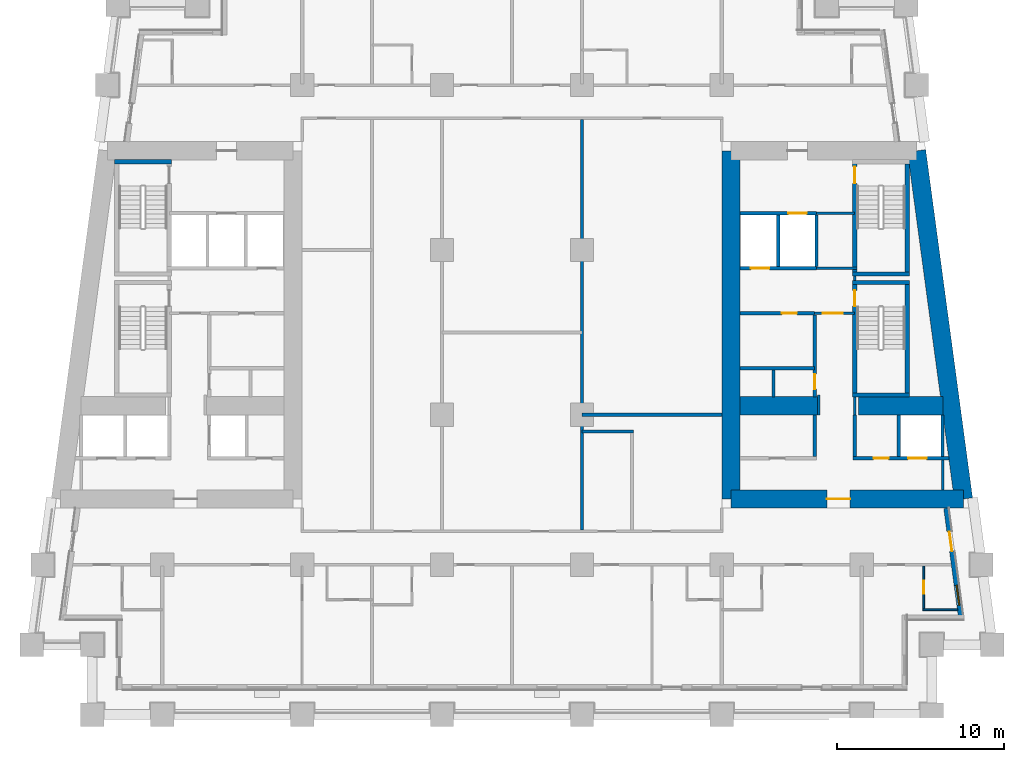
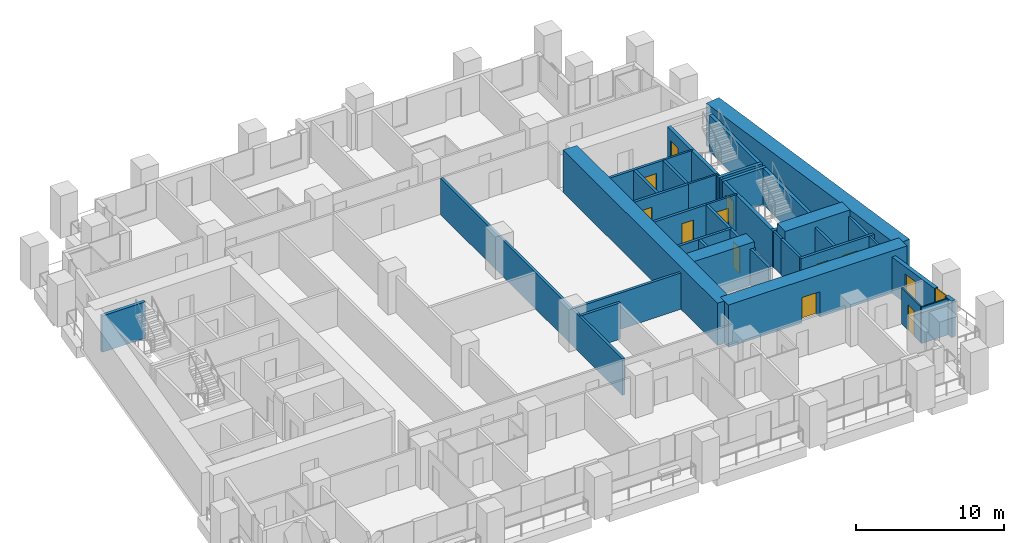
# One storey, part 5 of 12: 39 walls, 12 doors, 1 window, 13 openings.
"""IFC4 building model written with IfcOpenShell, lengths in metres."""

from ifc_helpers import new_model, si_unit, direction, frame, frame_2d, origin, place, context, subcontext, project, spatial, rectangle, extrude, material, layer, layer_set, type_object, element, fill, save


model = new_model("IFC4")

# Units and contexts
model_context = context("Model", 3, precision=1e-05, world=origin(), true_north=direction((0.0, 1.0)))
body_context = subcontext(model_context, "Body", "Model", "MODEL_VIEW")
ifc_project = project(units=[si_unit("LENGTHUNIT", "METRE"), si_unit("AREAUNIT", "SQUARE_METRE"), si_unit("VOLUMEUNIT", "CUBIC_METRE"), si_unit("PLANEANGLEUNIT", "RADIAN"), si_unit("MASSUNIT", "GRAM", prefix="KILO")], contexts=[model_context])

# Site, building, storey
site_placement = place(None, origin())
site = spatial("IfcSite", under=ifc_project, at=site_placement, CompositionType="ELEMENT")
building_placement = place(site_placement, origin())
building = spatial("IfcBuilding", under=site, at=building_placement, Name="Candeia Pilgrim Tower and Theatre", CompositionType="ELEMENT")
storey_placement = place(building_placement, frame((0.0, 0.0, 77.5)))
storey = spatial("IfcBuildingStorey", under=building, at=storey_placement, Name="L17", CompositionType="ELEMENT", Elevation=77.5)

# Wall
ifc_material_1 = material(Name="Concrete C80/95", Category="concrete")
ifc_layer_1 = layer(ifc_material_1, 1.10009765625)
ifc_layer_set_1 = layer_set([ifc_layer_1], Name="Core wall 1100 C80/95")
wall_type_1 = type_object("IfcWallType", Name="Core wall 1100 C80/95", PredefinedType="SHEAR", material=ifc_layer_set_1)
wall_1_placement = place(storey_placement, frame((137.688232421875, 131.85009765625, 0.0), z_axis=(0.0, 0.0, 1.0), x_axis=(0.133411793472, -0.991060691059, 0.0)))
element("IfcWall", 1, at=wall_1_placement, inside=storey, type_object=wall_type_1, Name="Core wall E2", PredefinedType="SHEAR", context=body_context, shape_type="SweptSolid", body=[
    extrude(rectangle(XDim=21.088623046875, YDim=1.10009765625, at=frame_2d((10.54443359375, 0.0))), origin(), (0.0, 0.0, 1.0), 3.5),
])

# Wall, opening, door
wall_2_placement = place(storey_placement, frame((140.501708984375, 110.949951171875, 0.0), z_axis=(0.0, 0.0, 1.0), x_axis=(-1.0, 0.0, 0.0)))
wall_2 = element("IfcWall", 2, at=wall_2_placement, inside=storey, type_object=wall_type_1, Name="Core wall E3", PredefinedType="SHEAR", context=body_context, shape_type="SweptSolid", body=[
    extrude(rectangle(XDim=13.95166015625, YDim=1.10009765625, at=frame_2d((6.975830078125, 0.0))), origin(), (0.0, 0.0, 1.0), 3.5),
])
opening_1_placement = place(wall_2_placement, frame((6.80419921875, 0.0, 0.0)))
opening_1 = element("IfcOpeningElement", 3, at=opening_1_placement, cuts=wall_2, Name="Opening L17-D048", PredefinedType="OPENING", context=body_context, shape_type="SweptSolid", body=[
    extrude(rectangle(XDim=1.39990234375, YDim=2.10009765625, at=frame_2d((0.699951171875, 1.050048828125))), frame((0.0, 0.56005859375, 0.0), z_axis=(0.0, -1.0, 0.0), x_axis=(1.0, 0.0, 0.0)), (0.0, 0.0, 1.0), 1.1201171875),
])
ifc_material_2 = material(Name="Steel fire door set", Category="steel")
door_type_1 = type_object("IfcDoorType", Name="D-1400-FD60", OperationType="NOTDEFINED", PredefinedType="DOOR", material=ifc_material_2)
door_1_placement = place(opening_1_placement, origin())
door_1 = element("IfcDoor", 4, at=door_1_placement, inside=storey, type_object=door_type_1, Name="Door L17-D048", OperationType="SINGLE_SWING_LEFT", OverallHeight=2.10009765625, OverallWidth=1.39990234375, PredefinedType="DOOR", context=body_context, shape_type="SweptSolid", body=[
    extrude(rectangle(XDim=1.39990234375, YDim=2.10009765625, at=frame_2d((0.699951171875, 1.050048828125))), frame((0.0, 0.02490234375, 0.0), z_axis=(0.0, -1.0, 0.0), x_axis=(1.0, 0.0, 0.0)), (0.0, 0.0, 1.0), 0.050048828125),
])
fill(opening_1, door_1)

# Walls
wall_3_placement = place(storey_placement, frame((126.550048828125, 110.949951171875, 0.0), z_axis=(0.0, 0.0, 1.0), x_axis=(0.0, 1.0, 0.0)))
element("IfcWall", 5, at=wall_3_placement, inside=storey, type_object=wall_type_1, Name="Core wall E4", PredefinedType="SHEAR", context=body_context, shape_type="SweptSolid", body=[
    extrude(rectangle(XDim=20.900146484375, YDim=1.10009765625, at=frame_2d((10.4501953125, 0.0))), origin(), (0.0, 0.0, 1.0), 3.5),
])
wall_4_placement = place(storey_placement, frame((127.10009765625, 116.550048828125, 0.0), z_axis=(0.0, 0.0, 1.0), x_axis=(1.0, 0.0, 0.0)))
element("IfcWall", 6, at=wall_4_placement, inside=storey, type_object=wall_type_1, Name="Core wall E5", PredefinedType="SHEAR", context=body_context, shape_type="SweptSolid", body=[
    extrude(rectangle(XDim=4.699951171875, YDim=1.10009765625, at=frame_2d((2.35009765625, 0.0))), origin(), (0.0, 0.0, 1.0), 3.5),
])
wall_5_placement = place(storey_placement, frame((134.199951171875, 116.550048828125, 0.0), z_axis=(0.0, 0.0, 1.0), x_axis=(1.0, 0.0, 0.0)))
element("IfcWall", 7, at=wall_5_placement, inside=storey, type_object=wall_type_1, Name="Core wall E6", PredefinedType="SHEAR", context=body_context, shape_type="SweptSolid", body=[
    extrude(rectangle(XDim=5.076904296875, YDim=1.10009765625, at=frame_2d((2.53857421875, 0.0))), origin(), (0.0, 0.0, 1.0), 3.5),
])

# Wall, openings, door, window
ifc_material_3 = material(Name="Ceramic block masonry", Category="masonry")
ifc_layer_2 = layer(ifc_material_3, 0.300048828125)
ifc_layer_set_2 = layer_set([ifc_layer_2], Name="EW1 glazing-line wall 300")
wall_type_2 = type_object("IfcWallType", Name="EW1 glazing-line wall 300", PredefinedType="SOLIDWALL", material=ifc_layer_set_2)
wall_6_placement = place(storey_placement, frame((140.34765625, 103.85009765625, 0.0), z_axis=(0.0, 0.0, 1.0), x_axis=(-0.133431549479, 0.991058031401, 0.0)))
wall_6 = element("IfcWall", 8, at=wall_6_placement, inside=storey, type_object=wall_type_2, Name="External wall L17-3.0", PredefinedType="SOLIDWALL", context=body_context, shape_type="SweptSolid", body=[
    extrude(rectangle(XDim=6.60888671875, YDim=0.300048828125, at=frame_2d((3.304443359375, 0.0))), origin(), (0.0, 0.0, 1.0), 3.0),
])
opening_2_placement = place(wall_6_placement, frame((0.736572265625, 0.0, 0.89990234375)))
opening_2 = element("IfcOpeningElement", 9, at=opening_2_placement, cuts=wall_6, Name="Opening W-B", PredefinedType="OPENING", context=body_context, shape_type="SweptSolid", body=[
    extrude(rectangle(XDim=1.199951171875, YDim=2.10009765625, at=frame_2d((0.60009765625, 1.050048828125))), frame((0.0, 0.16015625, 0.0), z_axis=(0.0, -1.0, 0.0), x_axis=(1.0, 0.0, 0.0)), (0.0, 0.0, 1.0), 0.320068359375),
])
opening_3_placement = place(wall_6_placement, frame((3.990966796875, 0.0, 0.0)))
opening_3 = element("IfcOpeningElement", 10, at=opening_3_placement, cuts=wall_6, Name="Opening L17-ED186", PredefinedType="OPENING", context=body_context, shape_type="SweptSolid", body=[
    extrude(rectangle(XDim=1.199951171875, YDim=2.39990234375, at=frame_2d((0.60009765625, 1.199951171875))), frame((0.0, 0.16015625, 0.0), z_axis=(0.0, -1.0, 0.0), x_axis=(1.0, 0.0, 0.0)), (0.0, 0.0, 1.0), 0.320068359375),
])
ifc_material_4 = material(Name="Aluminium framed glazed door", Category="aluminium")
door_type_2 = type_object("IfcDoorType", Name="Loggia door 1200x2400", OperationType="DOUBLE_DOOR_SINGLE_SWING", PredefinedType="DOOR", material=ifc_material_4)
door_2_placement = place(opening_3_placement, origin())
door_2 = element("IfcDoor", 11, at=door_2_placement, inside=storey, type_object=door_type_2, Name="Loggia door L17-ED186", OperationType="DOUBLE_DOOR_SINGLE_SWING", OverallHeight=2.39990234375, OverallWidth=1.199951171875, PredefinedType="DOOR", context=body_context, shape_type="SweptSolid", body=[
    extrude(rectangle(XDim=1.199951171875, YDim=2.39990234375, at=frame_2d((0.60009765625, 1.199951171875))), frame((0.0, 0.02490234375, 0.0), z_axis=(0.0, -1.0, 0.0), x_axis=(1.0, 0.0, 0.0)), (0.0, 0.0, 1.0), 0.050048828125),
])
fill(opening_3, door_2)
ifc_material_5 = material(Name="Aluminium framed double glazing", Category="aluminium")
window_type = type_object("IfcWindowType", Name="W-B window 1200x2100", PartitioningType="SINGLE_PANEL", PredefinedType="WINDOW", material=ifc_material_5)
window_placement = place(opening_2_placement, origin())
window = element("IfcWindow", 12, at=window_placement, inside=storey, type_object=window_type, Name="Window W-B L17", OverallHeight=2.10009765625, OverallWidth=1.199951171875, PartitioningType="SINGLE_PANEL", PredefinedType="WINDOW", context=body_context, shape_type="SweptSolid", body=[
    extrude(rectangle(XDim=1.199951171875, YDim=2.10009765625, at=frame_2d((0.60009765625, 1.050048828125))), frame((0.0, 0.030029296875, 0.0), z_axis=(0.0, -1.0, 0.0), x_axis=(1.0, 0.0, 0.0)), (0.0, 0.0, 1.0), 0.06005859375),
])
fill(opening_2, window)

# Wall
ifc_material_6 = material(Name="Gypsum board partition on steel studs", Category="steel")
ifc_layer_3 = layer(ifc_material_6, 0.10009765625)
ifc_layer_set_3 = layer_set([ifc_layer_3], Name="PW-100 room partition")
wall_type_3 = type_object("IfcWallType", Name="PW-100 room partition", PredefinedType="PARTITIONING", material=ifc_layer_set_3)
wall_7_placement = place(storey_placement, frame((138.070068359375, 104.300048828125, 0.0), z_axis=(0.0, 0.0, 1.0), x_axis=(1.0, 0.0, 0.0)))
element("IfcWall", 13, at=wall_7_placement, inside=storey, type_object=wall_type_3, Name="Room partition L17-003", PredefinedType="PARTITIONING", context=body_context, shape_type="SweptSolid", body=[
    extrude(rectangle(XDim=2.07568359375, YDim=0.10009765625, at=frame_2d((1.037841796875, 0.0))), origin(), (0.0, 0.0, 1.0), 3.0),
])

# Wall, opening, door
wall_8_placement = place(storey_placement, frame((138.1201171875, 104.35009765625, 0.0), z_axis=(0.0, 0.0, 1.0), x_axis=(0.0, 1.0, 0.0)))
wall_8 = element("IfcWall", 14, at=wall_8_placement, inside=storey, type_object=wall_type_3, Name="Room partition L17-103", PredefinedType="PARTITIONING", context=body_context, shape_type="SweptSolid", body=[
    extrude(rectangle(XDim=2.574951171875, YDim=0.10009765625, at=frame_2d((1.28759765625, 0.0))), origin(), (0.0, 0.0, 1.0), 3.0),
])
opening_4_placement = place(wall_8_placement, frame((0.89990234375, 0.0, 0.0)))
opening_4 = element("IfcOpeningElement", 15, at=opening_4_placement, cuts=wall_8, Name="Opening L17-D027", PredefinedType="OPENING", context=body_context, shape_type="SweptSolid", body=[
    extrude(rectangle(XDim=0.800048828125, YDim=2.10009765625, at=frame_2d((0.39990234375, 1.050048828125))), frame((0.0, 0.06005859375, 0.0), z_axis=(0.0, -1.0, 0.0), x_axis=(1.0, 0.0, 0.0)), (0.0, 0.0, 1.0), 0.1201171875),
])
ifc_material_7 = material(Name="Timber door leaf", Category="wood")
door_type_3 = type_object("IfcDoorType", Name="D-800", OperationType="NOTDEFINED", PredefinedType="DOOR", material=ifc_material_7)
door_3_placement = place(opening_4_placement, origin())
door_3 = element("IfcDoor", 16, at=door_3_placement, inside=storey, type_object=door_type_3, Name="Door L17-D027", OperationType="SINGLE_SWING_RIGHT", OverallHeight=2.10009765625, OverallWidth=0.800048828125, PredefinedType="DOOR", context=body_context, shape_type="SweptSolid", body=[
    extrude(rectangle(XDim=0.800048828125, YDim=2.10009765625, at=frame_2d((0.39990234375, 1.050048828125))), frame((0.0, 0.02490234375, 0.0), z_axis=(0.0, -1.0, 0.0), x_axis=(1.0, 0.0, 0.0)), (0.0, 0.0, 1.0), 0.050048828125),
])
fill(opening_4, door_3)

ifc_layer_4 = layer(ifc_material_6, 0.14990234375)
ifc_layer_set_4 = layer_set([ifc_layer_4], Name="PW-150 lobby wall")
wall_type_4 = type_object("IfcWallType", Name="PW-150 lobby wall", PredefinedType="PARTITIONING", material=ifc_layer_set_4)
wall_9_placement = place(storey_placement, frame((131.572998046875, 122.10009765625, 0.0), z_axis=(0.0, 0.0, 1.0), x_axis=(1.0, 0.0, 0.0)))
wall_9 = element("IfcWall", 17, at=wall_9_placement, inside=storey, type_object=wall_type_4, Name="Lobby wall L17-023", PredefinedType="PARTITIONING", context=body_context, shape_type="SweptSolid", body=[
    extrude(rectangle(XDim=2.39990234375, YDim=0.14990234375, at=frame_2d((1.199951171875, 0.0))), origin(), (0.0, 0.0, 1.0), 3.0),
])
opening_5_placement = place(wall_9_placement, frame((0.47509765625, 0.0, 0.0)))
opening_5 = element("IfcOpeningElement", 18, at=opening_5_placement, cuts=wall_9, Name="Opening L17-D007", PredefinedType="OPENING", context=body_context, shape_type="SweptSolid", body=[
    extrude(rectangle(XDim=1.199951171875, YDim=2.10009765625, at=frame_2d((0.60009765625, 1.050048828125))), frame((0.0, 0.0849609375, 0.0), z_axis=(0.0, -1.0, 0.0), x_axis=(1.0, 0.0, 0.0)), (0.0, 0.0, 1.0), 0.169921875),
])
door_type_4 = type_object("IfcDoorType", Name="D-1200-FD60", OperationType="NOTDEFINED", PredefinedType="DOOR", material=ifc_material_2)
door_4_placement = place(opening_5_placement, origin())
door_4 = element("IfcDoor", 19, at=door_4_placement, inside=storey, type_object=door_type_4, Name="Door L17-D007", OperationType="SINGLE_SWING_LEFT", OverallHeight=2.10009765625, OverallWidth=1.199951171875, PredefinedType="DOOR", context=body_context, shape_type="SweptSolid", body=[
    extrude(rectangle(XDim=1.199951171875, YDim=2.10009765625, at=frame_2d((0.60009765625, 1.050048828125))), frame((0.0, 0.02490234375, 0.0), z_axis=(0.0, -1.0, 0.0), x_axis=(1.0, 0.0, 0.0)), (0.0, 0.0, 1.0), 0.050048828125),
])
fill(opening_5, door_4)

# Walls
wall_10_placement = place(storey_placement, frame((131.681884765625, 124.800048828125, 0.0), z_axis=(0.0, 0.0, 1.0), x_axis=(1.0, 0.0, 0.0)))
element("IfcWall", 20, at=wall_10_placement, inside=storey, type_object=wall_type_4, Name="Lobby wall L17-030", PredefinedType="PARTITIONING", context=body_context, shape_type="SweptSolid", body=[
    extrude(rectangle(XDim=2.416015625, YDim=0.14990234375, at=frame_2d((1.2080078125, 0.0))), origin(), (0.0, 0.0, 1.0), 3.0),
])
wall_11_placement = place(storey_placement, frame((131.681884765625, 128.10009765625, 0.0), z_axis=(0.0, 0.0, 1.0), x_axis=(1.0, 0.0, 0.0)))
element("IfcWall", 21, at=wall_11_placement, inside=storey, type_object=wall_type_4, Name="Lobby wall L17-034", PredefinedType="PARTITIONING", context=body_context, shape_type="SweptSolid", body=[
    extrude(rectangle(XDim=2.291015625, YDim=0.14990234375, at=frame_2d((1.1455078125, 0.0))), origin(), (0.0, 0.0, 1.0), 3.0),
])
wall_12_placement = place(storey_placement, frame((131.800048828125, 116.0, 0.0), z_axis=(0.0, 0.0, 1.0), x_axis=(0.0, 1.0, 0.0)))
element("IfcWall", 22, at=wall_12_placement, inside=storey, type_object=wall_type_4, Name="Lobby wall L17-092", PredefinedType="PARTITIONING", context=body_context, shape_type="SweptSolid", body=[
    extrude(rectangle(XDim=1.199951171875, YDim=0.14990234375, at=frame_2d((0.60009765625, 0.0))), origin(), (0.0, 0.0, 1.0), 3.0),
])
wall_13_placement = place(storey_placement, frame((133.972900390625, 116.0, 0.0), z_axis=(0.0, 0.0, 1.0), x_axis=(0.0, 1.0, 0.0)))
element("IfcWall", 23, at=wall_13_placement, inside=storey, type_object=wall_type_4, Name="Lobby wall L17-095", PredefinedType="PARTITIONING", context=body_context, shape_type="SweptSolid", body=[
    extrude(rectangle(XDim=1.070068359375, YDim=0.14990234375, at=frame_2d((0.53515625, 0.0))), origin(), (0.0, 0.0, 1.0), 3.0),
])
wall_14_placement = place(storey_placement, frame((133.972900390625, 124.074951171875, 0.0), z_axis=(0.0, 0.0, 1.0), x_axis=(0.0, 1.0, 0.0)))
element("IfcWall", 24, at=wall_14_placement, inside=storey, type_object=wall_type_4, Name="Lobby wall L17-096", PredefinedType="PARTITIONING", context=body_context, shape_type="SweptSolid", body=[
    extrude(rectangle(XDim=0.25, YDim=0.14990234375, at=frame_2d((0.125, 0.0))), origin(), (0.0, 0.0, 1.0), 3.0),
])
wall_15_placement = place(storey_placement, frame((139.27001953125, 111.5, 0.0), z_axis=(0.0, 0.0, 1.0), x_axis=(0.0, 1.0, 0.0)))
element("IfcWall", 25, at=wall_15_placement, inside=storey, type_object=wall_type_4, Name="Lobby wall L17-105", PredefinedType="PARTITIONING", context=body_context, shape_type="SweptSolid", body=[
    extrude(rectangle(XDim=1.800048828125, YDim=0.14990234375, at=frame_2d((0.89990234375, 0.0))), origin(), (0.0, 0.0, 1.0), 3.0),
])
ifc_layer_5 = layer(ifc_material_6, 0.199951171875)
ifc_layer_set_5 = layer_set([ifc_layer_5], Name="PW-200 party wall")
wall_type_5 = type_object("IfcWallType", Name="PW-200 party wall", PredefinedType="PARTITIONING", material=ifc_layer_set_5)
wall_16_placement = place(storey_placement, frame((117.60009765625, 115.0, 0.0), z_axis=(0.0, 0.0, 1.0), x_axis=(1.0, 0.0, 0.0)))
element("IfcWall", 26, at=wall_16_placement, inside=storey, type_object=wall_type_5, Name="Party wall L17-013", PredefinedType="PARTITIONING", context=body_context, shape_type="SweptSolid", body=[
    extrude(rectangle(XDim=3.099853515625, YDim=0.199951171875, at=frame_2d((1.5498046875, 0.0))), origin(), (0.0, 0.0, 1.0), 3.0),
])
wall_17_placement = place(storey_placement, frame((117.60009765625, 116.0, 0.0), z_axis=(0.0, 0.0, 1.0), x_axis=(1.0, 0.0, 0.0)))
element("IfcWall", 27, at=wall_17_placement, inside=storey, type_object=wall_type_5, Name="Party wall L17-014", PredefinedType="PARTITIONING", context=body_context, shape_type="SweptSolid", body=[
    extrude(rectangle(XDim=8.39990234375, YDim=0.199951171875, at=frame_2d((4.199951171875, 0.0))), origin(), (0.0, 0.0, 1.0), 3.0),
])
wall_18_placement = place(storey_placement, frame((117.60009765625, 109.074951171875, 0.0), z_axis=(0.0, 0.0, 1.0), x_axis=(0.0, 1.0, 0.0)))
element("IfcWall", 28, at=wall_18_placement, inside=storey, type_object=wall_type_5, Name="Party wall L17-076", PredefinedType="PARTITIONING", context=body_context, shape_type="SweptSolid", body=[
    extrude(rectangle(XDim=24.650146484375, YDim=0.199951171875, at=frame_2d((12.3251953125, 0.0))), origin(), (0.0, 0.0, 1.0), 3.0),
])

# Wall, openings, doors
ifc_material_8 = material(Name="Concrete C40/50", Category="concrete")
ifc_layer_6 = layer(ifc_material_8, 0.199951171875)
ifc_layer_set_6 = layer_set([ifc_layer_6], Name="SW-200 shaft wall")
wall_type_6 = type_object("IfcWallType", Name="SW-200 shaft wall", PredefinedType="PARTITIONING", material=ifc_layer_set_6)
wall_19_placement = place(storey_placement, frame((133.873046875, 113.39990234375, 0.0), z_axis=(0.0, 0.0, 1.0), x_axis=(1.0, 0.0, 0.0)))
wall_19 = element("IfcWall", 29, at=wall_19_placement, inside=storey, type_object=wall_type_6, Name="Shaft wall L17-012", PredefinedType="PARTITIONING", context=body_context, shape_type="SweptSolid", body=[
    extrude(rectangle(XDim=5.77392578125, YDim=0.199951171875, at=frame_2d((2.886962890625, 0.0))), origin(), (0.0, 0.0, 1.0), 3.0),
])
opening_6_placement = place(wall_19_placement, frame((3.31103515625, 0.0, 0.0)))
opening_6 = element("IfcOpeningElement", 30, at=opening_6_placement, cuts=wall_19, Name="Opening L17-LD08", PredefinedType="OPENING", context=body_context, shape_type="SweptSolid", body=[
    extrude(rectangle(XDim=1.10009765625, YDim=2.10009765625, at=frame_2d((0.550048828125, 1.050048828125))), frame((0.0, 0.10986328125, 0.0), z_axis=(0.0, -1.0, 0.0), x_axis=(1.0, 0.0, 0.0)), (0.0, 0.0, 1.0), 0.219970703125),
])
opening_7_placement = place(wall_19_placement, frame((1.236083984375, 0.0, 0.0)))
opening_7 = element("IfcOpeningElement", 31, at=opening_7_placement, cuts=wall_19, Name="Opening L17-D012", PredefinedType="OPENING", context=body_context, shape_type="SweptSolid", body=[
    extrude(rectangle(XDim=0.89990234375, YDim=2.10009765625, at=frame_2d((0.449951171875, 1.050048828125))), frame((0.0, 0.10986328125, 0.0), z_axis=(0.0, -1.0, 0.0), x_axis=(1.0, 0.0, 0.0)), (0.0, 0.0, 1.0), 0.219970703125),
])
door_type_5 = type_object("IfcDoorType", Name="D-900-FD60", OperationType="NOTDEFINED", PredefinedType="DOOR", material=ifc_material_2)
door_5_placement = place(opening_7_placement, origin())
door_5 = element("IfcDoor", 32, at=door_5_placement, inside=storey, type_object=door_type_5, Name="Door L17-D012", OperationType="SINGLE_SWING_LEFT", OverallHeight=2.10009765625, OverallWidth=0.89990234375, PredefinedType="DOOR", context=body_context, shape_type="SweptSolid", body=[
    extrude(rectangle(XDim=0.89990234375, YDim=2.10009765625, at=frame_2d((0.449951171875, 1.050048828125))), frame((0.0, 0.02490234375, 0.0), z_axis=(0.0, -1.0, 0.0), x_axis=(1.0, 0.0, 0.0)), (0.0, 0.0, 1.0), 0.050048828125),
])
fill(opening_7, door_5)
ifc_material_9 = material(Name="Glazed aluminium landing door", Category="aluminium")
door_type_6 = type_object("IfcDoorType", Name="LD-1100-EI120", OperationType="SLIDING_TO_LEFT", PredefinedType="DOOR", material=ifc_material_9)
door_6_placement = place(opening_6_placement, origin())
door_6 = element("IfcDoor", 33, at=door_6_placement, inside=storey, type_object=door_type_6, Name="Landing door 08 L17", OperationType="SLIDING_TO_LEFT", OverallHeight=2.10009765625, OverallWidth=1.10009765625, PredefinedType="DOOR", context=body_context, shape_type="SweptSolid", body=[
    extrude(rectangle(XDim=1.10009765625, YDim=2.10009765625, at=frame_2d((0.550048828125, 1.050048828125))), frame((0.0, 0.02490234375, 0.0), z_axis=(0.0, -1.0, 0.0), x_axis=(1.0, 0.0, 0.0)), (0.0, 0.0, 1.0), 0.050048828125),
])
fill(opening_6, door_6)

# Wall
wall_20_placement = place(storey_placement, frame((127.10009765625, 118.800048828125, 0.0), z_axis=(0.0, 0.0, 1.0), x_axis=(1.0, 0.0, 0.0)))
element("IfcWall", 34, at=wall_20_placement, inside=storey, type_object=wall_type_6, Name="Shaft wall L17-018", PredefinedType="PARTITIONING", context=body_context, shape_type="SweptSolid", body=[
    extrude(rectangle(XDim=4.472900390625, YDim=0.199951171875, at=frame_2d((2.236328125, 0.0))), origin(), (0.0, 0.0, 1.0), 3.0),
])

# Wall, opening, door
wall_21_placement = place(storey_placement, frame((127.10009765625, 122.10009765625, 0.0), z_axis=(0.0, 0.0, 1.0), x_axis=(1.0, 0.0, 0.0)))
wall_21 = element("IfcWall", 35, at=wall_21_placement, inside=storey, type_object=wall_type_6, Name="Shaft wall L17-021", PredefinedType="PARTITIONING", context=body_context, shape_type="SweptSolid", body=[
    extrude(rectangle(XDim=4.472900390625, YDim=0.199951171875, at=frame_2d((2.236328125, 0.0))), origin(), (0.0, 0.0, 1.0), 3.0),
])
opening_8_placement = place(wall_21_placement, frame((2.5048828125, 0.0, 0.0)))
opening_8 = element("IfcOpeningElement", 36, at=opening_8_placement, cuts=wall_21, Name="Opening L17-D008", PredefinedType="OPENING", context=body_context, shape_type="SweptSolid", body=[
    extrude(rectangle(XDim=0.89990234375, YDim=2.10009765625, at=frame_2d((0.449951171875, 1.050048828125))), frame((0.0, 0.10986328125, 0.0), z_axis=(0.0, -1.0, 0.0), x_axis=(1.0, 0.0, 0.0)), (0.0, 0.0, 1.0), 0.219970703125),
])
door_7_placement = place(opening_8_placement, origin())
door_7 = element("IfcDoor", 37, at=door_7_placement, inside=storey, type_object=door_type_5, Name="Door L17-D008", OperationType="SINGLE_SWING_RIGHT", OverallHeight=2.10009765625, OverallWidth=0.89990234375, PredefinedType="DOOR", context=body_context, shape_type="SweptSolid", body=[
    extrude(rectangle(XDim=0.89990234375, YDim=2.10009765625, at=frame_2d((0.449951171875, 1.050048828125))), frame((0.0, 0.02490234375, 0.0), z_axis=(0.0, -1.0, 0.0), x_axis=(1.0, 0.0, 0.0)), (0.0, 0.0, 1.0), 0.050048828125),
])
fill(opening_8, door_7)

wall_22_placement = place(storey_placement, frame((127.10009765625, 124.800048828125, 0.0), z_axis=(0.0, 0.0, 1.0), x_axis=(1.0, 0.0, 0.0)))
wall_22 = element("IfcWall", 38, at=wall_22_placement, inside=storey, type_object=wall_type_6, Name="Shaft wall L17-029", PredefinedType="PARTITIONING", context=body_context, shape_type="SweptSolid", body=[
    extrude(rectangle(XDim=4.581787109375, YDim=0.199951171875, at=frame_2d((2.291015625, 0.0))), origin(), (0.0, 0.0, 1.0), 3.0),
])
opening_9_placement = place(wall_22_placement, frame((0.64501953125, 0.0, 0.0)))
opening_9 = element("IfcOpeningElement", 39, at=opening_9_placement, cuts=wall_22, Name="Opening L17-LD07", PredefinedType="OPENING", context=body_context, shape_type="SweptSolid", body=[
    extrude(rectangle(XDim=1.10009765625, YDim=2.10009765625, at=frame_2d((0.550048828125, 1.050048828125))), frame((0.0, 0.10986328125, 0.0), z_axis=(0.0, -1.0, 0.0), x_axis=(1.0, 0.0, 0.0)), (0.0, 0.0, 1.0), 0.219970703125),
])
door_8_placement = place(opening_9_placement, origin())
door_8 = element("IfcDoor", 40, at=door_8_placement, inside=storey, type_object=door_type_6, Name="Landing door 07 L17", OperationType="SLIDING_TO_LEFT", OverallHeight=2.10009765625, OverallWidth=1.10009765625, PredefinedType="DOOR", context=body_context, shape_type="SweptSolid", body=[
    extrude(rectangle(XDim=1.10009765625, YDim=2.10009765625, at=frame_2d((0.550048828125, 1.050048828125))), frame((0.0, 0.02490234375, 0.0), z_axis=(0.0, -1.0, 0.0), x_axis=(1.0, 0.0, 0.0)), (0.0, 0.0, 1.0), 0.050048828125),
])
fill(opening_9, door_8)

wall_23_placement = place(storey_placement, frame((127.10009765625, 128.10009765625, 0.0), z_axis=(0.0, 0.0, 1.0), x_axis=(1.0, 0.0, 0.0)))
wall_23 = element("IfcWall", 41, at=wall_23_placement, inside=storey, type_object=wall_type_6, Name="Shaft wall L17-033", PredefinedType="PARTITIONING", context=body_context, shape_type="SweptSolid", body=[
    extrude(rectangle(XDim=4.581787109375, YDim=0.199951171875, at=frame_2d((2.291015625, 0.0))), origin(), (0.0, 0.0, 1.0), 3.0),
])
opening_10_placement = place(wall_23_placement, frame((2.885986328125, 0.0, 0.0)))
opening_10 = element("IfcOpeningElement", 42, at=opening_10_placement, cuts=wall_23, Name="Opening L17-LD06", PredefinedType="OPENING", context=body_context, shape_type="SweptSolid", body=[
    extrude(rectangle(XDim=1.10009765625, YDim=2.10009765625, at=frame_2d((0.550048828125, 1.050048828125))), frame((0.0, 0.10986328125, 0.0), z_axis=(0.0, -1.0, 0.0), x_axis=(1.0, 0.0, 0.0)), (0.0, 0.0, 1.0), 0.219970703125),
])
door_9_placement = place(opening_10_placement, origin())
door_9 = element("IfcDoor", 43, at=door_9_placement, inside=storey, type_object=door_type_6, Name="Landing door 06 L17", OperationType="SLIDING_TO_LEFT", OverallHeight=2.10009765625, OverallWidth=1.10009765625, PredefinedType="DOOR", context=body_context, shape_type="SweptSolid", body=[
    extrude(rectangle(XDim=1.10009765625, YDim=2.10009765625, at=frame_2d((0.550048828125, 1.050048828125))), frame((0.0, 0.02490234375, 0.0), z_axis=(0.0, -1.0, 0.0), x_axis=(1.0, 0.0, 0.0)), (0.0, 0.0, 1.0), 0.050048828125),
])
fill(opening_10, door_9)

# Walls
wall_24_placement = place(storey_placement, frame((129.10009765625, 117.070068359375, 0.0), z_axis=(0.0, 0.0, 1.0), x_axis=(0.0, 1.0, 0.0)))
element("IfcWall", 44, at=wall_24_placement, inside=storey, type_object=wall_type_6, Name="Shaft wall L17-087", PredefinedType="PARTITIONING", context=body_context, shape_type="SweptSolid", body=[
    extrude(rectangle(XDim=1.6298828125, YDim=0.199951171875, at=frame_2d((0.81494140625, 0.0))), origin(), (0.0, 0.0, 1.0), 3.0),
])
wall_25_placement = place(storey_placement, frame((129.39111328125, 124.89990234375, 0.0), z_axis=(0.0, 0.0, 1.0), x_axis=(0.0, 1.0, 0.0)))
element("IfcWall", 45, at=wall_25_placement, inside=storey, type_object=wall_type_6, Name="Shaft wall L17-088", PredefinedType="PARTITIONING", context=body_context, shape_type="SweptSolid", body=[
    extrude(rectangle(XDim=3.10009765625, YDim=0.199951171875, at=frame_2d((1.550048828125, 0.0))), origin(), (0.0, 0.0, 1.0), 3.0),
])
wall_26_placement = place(storey_placement, frame((131.572998046875, 113.5, 0.0), z_axis=(0.0, 0.0, 1.0), x_axis=(0.0, 1.0, 0.0)))
element("IfcWall", 46, at=wall_26_placement, inside=storey, type_object=wall_type_6, Name="Shaft wall L17-089", PredefinedType="PARTITIONING", context=body_context, shape_type="SweptSolid", body=[
    extrude(rectangle(XDim=2.5, YDim=0.199951171875, at=frame_2d((1.25, 0.0))), origin(), (0.0, 0.0, 1.0), 3.0),
])

# Wall, opening, door
wall_27_placement = place(storey_placement, frame((131.572998046875, 117.070068359375, 0.0), z_axis=(0.0, 0.0, 1.0), x_axis=(0.0, 1.0, 0.0)))
wall_27 = element("IfcWall", 47, at=wall_27_placement, inside=storey, type_object=wall_type_6, Name="Shaft wall L17-090", PredefinedType="PARTITIONING", context=body_context, shape_type="SweptSolid", body=[
    extrude(rectangle(XDim=4.929931640625, YDim=0.199951171875, at=frame_2d((2.46484375, 0.0))), origin(), (0.0, 0.0, 1.0), 3.0),
])
opening_11_placement = place(wall_27_placement, frame((0.47998046875, 0.0, 0.0)))
opening_11 = element("IfcOpeningElement", 48, at=opening_11_placement, cuts=wall_27, Name="Opening L17-D011", PredefinedType="OPENING", context=body_context, shape_type="SweptSolid", body=[
    extrude(rectangle(XDim=0.89990234375, YDim=2.10009765625, at=frame_2d((0.449951171875, 1.050048828125))), frame((0.0, 0.10986328125, 0.0), z_axis=(0.0, -1.0, 0.0), x_axis=(1.0, 0.0, 0.0)), (0.0, 0.0, 1.0), 0.219970703125),
])
door_10_placement = place(opening_11_placement, origin())
door_10 = element("IfcDoor", 49, at=door_10_placement, inside=storey, type_object=door_type_5, Name="Door L17-D011", OperationType="SINGLE_SWING_LEFT", OverallHeight=2.10009765625, OverallWidth=0.89990234375, PredefinedType="DOOR", context=body_context, shape_type="SweptSolid", body=[
    extrude(rectangle(XDim=0.89990234375, YDim=2.10009765625, at=frame_2d((0.449951171875, 1.050048828125))), frame((0.0, 0.02490234375, 0.0), z_axis=(0.0, -1.0, 0.0), x_axis=(1.0, 0.0, 0.0)), (0.0, 0.0, 1.0), 0.050048828125),
])
fill(opening_11, door_10)

# Walls
wall_28_placement = place(storey_placement, frame((131.681884765625, 124.89990234375, 0.0), z_axis=(0.0, 0.0, 1.0), x_axis=(0.0, 1.0, 0.0)))
element("IfcWall", 50, at=wall_28_placement, inside=storey, type_object=wall_type_6, Name="Shaft wall L17-091", PredefinedType="PARTITIONING", context=body_context, shape_type="SweptSolid", body=[
    extrude(rectangle(XDim=3.10009765625, YDim=0.199951171875, at=frame_2d((1.550048828125, 0.0))), origin(), (0.0, 0.0, 1.0), 3.0),
])
for number, where, z_axis, x_axis, name in (
    (51, (133.972900390625, 113.5, 0.0), (0.0, 0.0, 1.0), (0.0, 1.0, 0.0), "Shaft wall L17-094"),
    (52, (136.62158203125, 113.5, 0.0), (0.0, 0.0, 1.0), (0.0, 1.0, 0.0), "Shaft wall L17-100"),
    (53, (139.247802734375, 113.5, 0.0), (0.0, 0.0, 1.0), (0.0, 1.0, 0.0), "Shaft wall L17-104"),
):
    element("IfcWall", number, at=place(storey_placement, frame(where, z_axis=z_axis, x_axis=x_axis)), inside=storey, type_object=wall_type_6, Name=name, PredefinedType="PARTITIONING", context=body_context, shape_type="SweptSolid", body=[
        extrude(rectangle(XDim=2.5, YDim=0.199951171875, at=frame_2d((1.25, 0.0))), origin(), (0.0, 0.0, 1.0), 3.0),
    ])
ifc_layer_7 = layer(ifc_material_8, 0.25)
ifc_layer_set_7 = layer_set([ifc_layer_7], Name="SW-250 stair wall")
wall_type_7 = type_object("IfcWallType", Name="SW-250 stair wall", PredefinedType="PARTITIONING", material=ifc_layer_set_7)
for number, where, z_axis, x_axis, name in (
    (54, (133.847900390625, 117.199951171875, 0.0), (0.0, 0.0, 1.0), (1.0, 0.0, 0.0), "Stair wall L17-016"),
    (55, (133.847900390625, 123.949951171875, 0.0), (0.0, 0.0, 1.0), (1.0, 0.0, 0.0), "Stair wall L17-025"),
    (56, (133.847900390625, 124.449951171875, 0.0), (0.0, 0.0, 1.0), (1.0, 0.0, 0.0), "Stair wall L17-027"),
):
    element("IfcWall", number, at=place(storey_placement, frame(where, z_axis=z_axis, x_axis=x_axis)), inside=storey, type_object=wall_type_7, Name=name, PredefinedType="PARTITIONING", context=body_context, shape_type="SweptSolid", body=[
        extrude(rectangle(XDim=3.400146484375, YDim=0.25, at=frame_2d((1.7001953125, 0.0))), origin(), (0.0, 0.0, 1.0), 3.0),
    ])
wall_29_placement = place(storey_placement, frame((89.552001953125, 131.199951171875, 0.0), z_axis=(0.0, 0.0, 1.0), x_axis=(1.0, 0.0, 0.0)))
element("IfcWall", 57, at=wall_29_placement, inside=storey, type_object=wall_type_7, Name="Stair wall L17-035", PredefinedType="PARTITIONING", context=body_context, shape_type="SweptSolid", body=[
    extrude(rectangle(XDim=3.39990234375, YDim=0.25, at=frame_2d((1.699951171875, 0.0))), origin(), (0.0, 0.0, 1.0), 3.0),
])

# Wall, opening, door
wall_30_placement = place(storey_placement, frame((133.972900390625, 117.070068359375, 0.0), z_axis=(0.0, 0.0, 1.0), x_axis=(0.0, 1.0, 0.0)))
wall_30 = element("IfcWall", 58, at=wall_30_placement, inside=storey, type_object=wall_type_7, Name="Stair wall L17-097", PredefinedType="PARTITIONING", context=body_context, shape_type="SweptSolid", body=[
    extrude(rectangle(XDim=6.7548828125, YDim=0.25, at=frame_2d((3.37744140625, 0.0))), origin(), (0.0, 0.0, 1.0), 3.0),
])
opening_12_placement = place(wall_30_placement, frame((5.455078125, 0.0, 0.0)))
opening_12 = element("IfcOpeningElement", 59, at=opening_12_placement, cuts=wall_30, Name="Opening L17-D009", PredefinedType="OPENING", context=body_context, shape_type="SweptSolid", body=[
    extrude(rectangle(XDim=0.949951171875, YDim=2.10009765625, at=frame_2d((0.47509765625, 1.050048828125))), frame((0.0, 0.135009765625, 0.0), z_axis=(0.0, -1.0, 0.0), x_axis=(1.0, 0.0, 0.0)), (0.0, 0.0, 1.0), 0.27001953125),
])
door_type_7 = type_object("IfcDoorType", Name="D-950-FD60", OperationType="NOTDEFINED", PredefinedType="DOOR", material=ifc_material_2)
door_11_placement = place(opening_12_placement, origin())
door_11 = element("IfcDoor", 60, at=door_11_placement, inside=storey, type_object=door_type_7, Name="Door L17-D009", OperationType="SINGLE_SWING_LEFT", OverallHeight=2.10009765625, OverallWidth=0.949951171875, PredefinedType="DOOR", context=body_context, shape_type="SweptSolid", body=[
    extrude(rectangle(XDim=0.949951171875, YDim=2.10009765625, at=frame_2d((0.47509765625, 1.050048828125))), frame((0.0, 0.02490234375, 0.0), z_axis=(0.0, -1.0, 0.0), x_axis=(1.0, 0.0, 0.0)), (0.0, 0.0, 1.0), 0.050048828125),
])
fill(opening_12, door_11)

wall_31_placement = place(storey_placement, frame((133.972900390625, 124.574951171875, 0.0), z_axis=(0.0, 0.0, 1.0), x_axis=(0.0, 1.0, 0.0)))
wall_31 = element("IfcWall", 61, at=wall_31_placement, inside=storey, type_object=wall_type_7, Name="Stair wall L17-098", PredefinedType="PARTITIONING", context=body_context, shape_type="SweptSolid", body=[
    extrude(rectangle(XDim=6.755126953125, YDim=0.25, at=frame_2d((3.37744140625, 0.0))), origin(), (0.0, 0.0, 1.0), 3.0),
])
opening_13_placement = place(wall_31_placement, frame((5.324951171875, 0.0, 0.0)))
opening_13 = element("IfcOpeningElement", 62, at=opening_13_placement, cuts=wall_31, Name="Opening L17-D010", PredefinedType="OPENING", context=body_context, shape_type="SweptSolid", body=[
    extrude(rectangle(XDim=1.0, YDim=2.10009765625, at=frame_2d((0.5, 1.050048828125))), frame((0.0, 0.135009765625, 0.0), z_axis=(0.0, -1.0, 0.0), x_axis=(1.0, 0.0, 0.0)), (0.0, 0.0, 1.0), 0.27001953125),
])
door_type_8 = type_object("IfcDoorType", Name="D-1000-FD60", OperationType="NOTDEFINED", PredefinedType="DOOR", material=ifc_material_2)
door_12_placement = place(opening_13_placement, origin())
door_12 = element("IfcDoor", 63, at=door_12_placement, inside=storey, type_object=door_type_8, Name="Door L17-D010", OperationType="SINGLE_SWING_RIGHT", OverallHeight=2.10009765625, OverallWidth=1.0, PredefinedType="DOOR", context=body_context, shape_type="SweptSolid", body=[
    extrude(rectangle(XDim=1.0, YDim=2.10009765625, at=frame_2d((0.5, 1.050048828125))), frame((0.0, 0.02490234375, 0.0), z_axis=(0.0, -1.0, 0.0), x_axis=(1.0, 0.0, 0.0)), (0.0, 0.0, 1.0), 0.050048828125),
])
fill(opening_13, door_12)

# Walls
wall_32_placement = place(storey_placement, frame((137.123046875, 117.070068359375, 0.0), z_axis=(0.0, 0.0, 1.0), x_axis=(0.0, 1.0, 0.0)))
element("IfcWall", 64, at=wall_32_placement, inside=storey, type_object=wall_type_7, Name="Stair wall L17-101", PredefinedType="PARTITIONING", context=body_context, shape_type="SweptSolid", body=[
    extrude(rectangle(XDim=6.7548828125, YDim=0.25, at=frame_2d((3.37744140625, 0.0))), origin(), (0.0, 0.0, 1.0), 3.0),
])
wall_33_placement = place(storey_placement, frame((137.123046875, 124.574951171875, 0.0), z_axis=(0.0, 0.0, 1.0), x_axis=(0.0, 1.0, 0.0)))
element("IfcWall", 65, at=wall_33_placement, inside=storey, type_object=wall_type_7, Name="Stair wall L17-102", PredefinedType="PARTITIONING", context=body_context, shape_type="SweptSolid", body=[
    extrude(rectangle(XDim=6.5, YDim=0.25, at=frame_2d((3.25, 0.0))), origin(), (0.0, 0.0, 1.0), 3.0),
])

save(model, "model.ifc")
